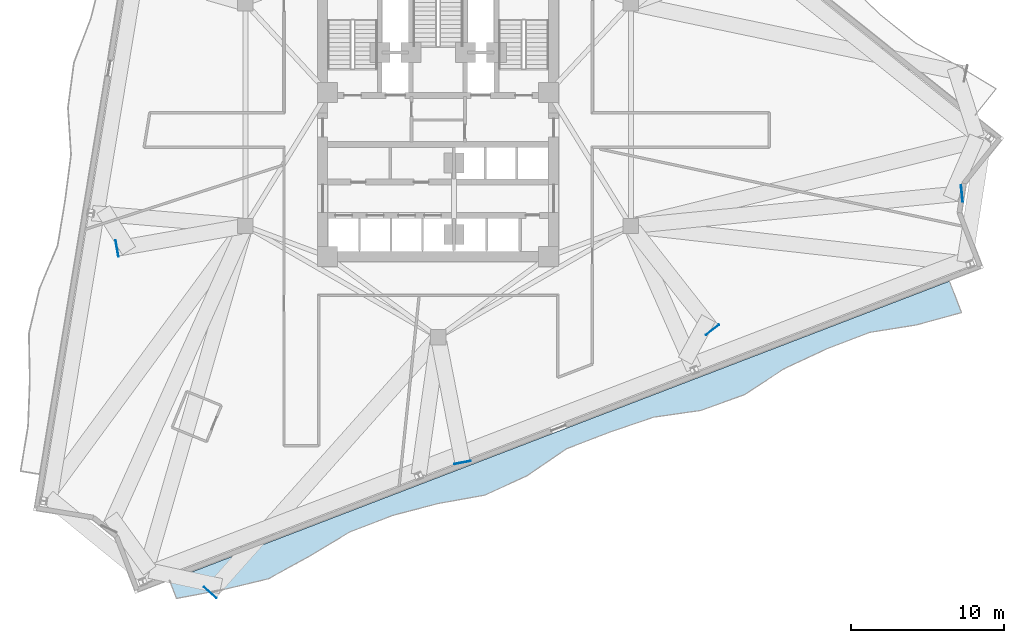
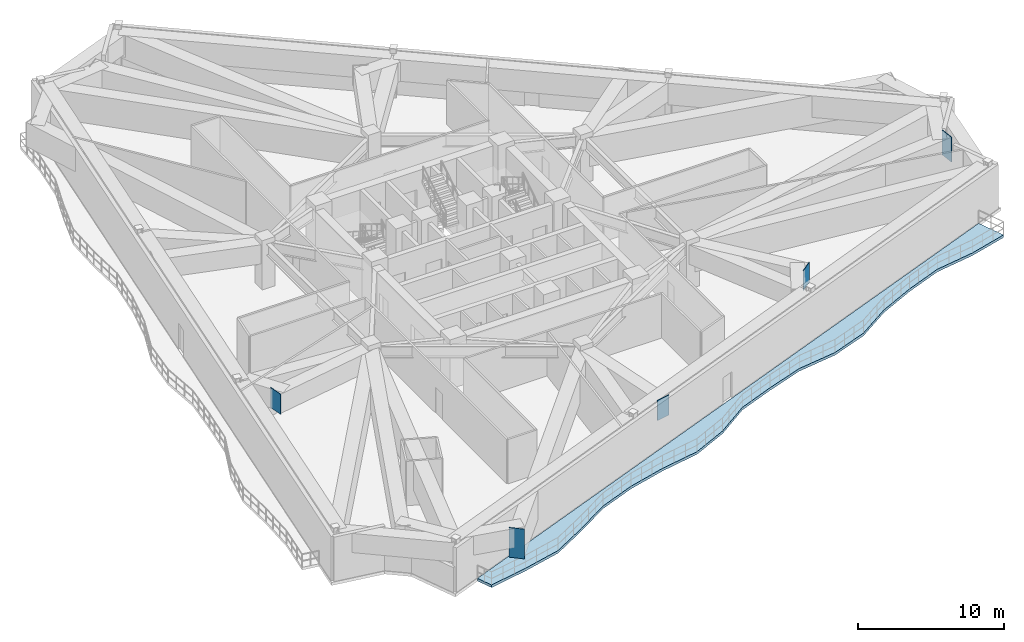
# One storey, part 4 of 14: 5 plates, 1 slab.
"""IFC4 building model written with IfcOpenShell, lengths in metres."""

from ifc_helpers import new_model, si_unit, direction, frame, origin, origin_2d, place, context, subcontext, project, spatial, polyline, rectangle, outline, extrude, material, layer, layer_set, type_object, element, save


model = new_model("IFC4")

# Units and contexts
model_context = context("Model", 3, precision=1e-05, world=origin(), true_north=direction((0.0, 1.0)))
body_context = subcontext(model_context, "Body", "Model", "MODEL_VIEW")
ifc_project = project(units=[si_unit("LENGTHUNIT", "METRE"), si_unit("AREAUNIT", "SQUARE_METRE"), si_unit("VOLUMEUNIT", "CUBIC_METRE"), si_unit("PLANEANGLEUNIT", "RADIAN"), si_unit("MASSUNIT", "GRAM", prefix="KILO")], contexts=[model_context])

# Site, building, storey
site_placement = place(None, origin())
site = spatial("IfcSite", under=ifc_project, at=site_placement, CompositionType="ELEMENT")
building_placement = place(site_placement, origin())
building = spatial("IfcBuilding", under=site, at=building_placement, Name="Apsidion Concourse Tower", CompositionType="ELEMENT")
storey_placement = place(building_placement, frame((0.0, 0.0, 156.800048828125)))
storey = spatial("IfcBuildingStorey", under=building, at=storey_placement, Name="L36", CompositionType="ELEMENT", Elevation=156.800048828125)

# Plates
ifc_material_1 = material(Name="Structural steel ASTM A572 Grade 50", Category="steel")
ifc_layer_1 = layer(ifc_material_1, 0.034912109375)
ifc_layer_set_1 = layer_set([ifc_layer_1], Name="Structural steel ASTM A572 Grade 50")
plate_type = type_object("IfcPlateType", Name="PL-ENDCAP-35", PredefinedType="USERDEFINED", material=ifc_layer_set_1)
plate_1_placement = place(storey_placement, frame((-20.92431640625, -8.72509765625, 2.06005859375), z_axis=(0.0, 0.0, 1.0), x_axis=(-0.984807753012, -0.173648177667, 0.0)))
element("IfcPlate", 1, at=plate_1_placement, inside=storey, type_object=plate_type, Name="L36 Radial Transfer Girder End-Cap Plate NTRCAP-03", ObjectType="FLANGE_PLATE", PredefinedType="USERDEFINED", context=body_context, shape_type="SweptSolid", body=[
    extrude(rectangle(XDim=0.044921875, YDim=1.080078125, at=origin_2d()), origin(), (0.0, 0.0, 1.0), 1.679931640625),
])
plate_2_placement = place(storey_placement, frame((-14.844482421875, -31.1474609375, 1.260009765625), z_axis=(0.0, 0.0, 1.0), x_axis=(-0.665490940013, -0.746405927603, 0.0)))
element("IfcPlate", 2, at=plate_2_placement, inside=storey, type_object=plate_type, Name="L36 Radial Transfer Girder End-Cap Plate NTRCAP-05", ObjectType="FLANGE_PLATE", PredefinedType="USERDEFINED", context=body_context, shape_type="SweptSolid", body=[
    extrude(rectangle(XDim=0.044921875, YDim=1.080078125, at=origin_2d()), origin(), (0.0, 0.0, 1.0), 2.47998046875),
])
for number, where, z_axis, x_axis, name in (
    (3, (1.590087890625, -22.6630859375, 2.06005859375), (0.0, 0.0, 1.0), (0.191151636272, -0.981560518741, 0.0), "L36 Radial Transfer Girder End-Cap Plate NTRCAP-06"),
    (4, (17.8662109375, -14.020751953125, 2.06005859375), (0.0, 0.0, 1.0), (0.616898519672, -0.787042703051, 0.0), "L36 Radial Transfer Girder End-Cap Plate NTRCAP-07"),
):
    element("IfcPlate", number, at=place(storey_placement, frame(where, z_axis=z_axis, x_axis=x_axis)), inside=storey, type_object=plate_type, Name=name, ObjectType="FLANGE_PLATE", PredefinedType="USERDEFINED", context=body_context, shape_type="SweptSolid", body=[
        extrude(rectangle(XDim=0.044921875, YDim=1.080078125, at=origin_2d()), origin(), (0.0, 0.0, 1.0), 1.679931640625),
    ])
plate_3_placement = place(storey_placement, frame((34.125, -5.124267578125, 1.659912109375), z_axis=(0.0, 0.0, 1.0), x_axis=(0.995176169274, 0.098103986207, 0.0)))
element("IfcPlate", 5, at=plate_3_placement, inside=storey, type_object=plate_type, Name="L36 Radial Transfer Girder End-Cap Plate NTRCAP-08", ObjectType="FLANGE_PLATE", PredefinedType="USERDEFINED", context=body_context, shape_type="SweptSolid", body=[
    extrude(rectangle(XDim=0.044921875, YDim=1.080078125, at=origin_2d()), origin(), (0.0, 0.0, 1.0), 2.080078125),
])

# Slab
ifc_material_2 = material(Name="Concrete C50/60", Category="concrete")
ifc_layer_2 = layer(ifc_material_2, 0.219970703125)
ifc_layer_set_2 = layer_set([ifc_layer_2], Name="Concrete C50/60")
slab_type = type_object("IfcSlabType", Name="SL-BAL-220", PredefinedType="FLOOR", material=ifc_layer_set_2)
slab_placement = place(storey_placement, frame((0.0, 0.0, -0.219970703125)))
element("IfcSlab", 6, at=slab_placement, inside=storey, type_object=slab_type, Name="L36 Face 2 Rippling Balcony Slab", PredefinedType="FLOOR", context=body_context, shape_type="SweptSolid", body=[
    extrude(outline(polyline([(-17.49853515625, -30.353271484375), (-14.67578125, -29.26953125), (-11.852783203125, -28.18603515625), (-9.02978515625, -27.102294921875), (-6.206787109375, -26.018798828125), (-3.3837890625, -24.93505859375), (-0.56103515625, -23.8515625), (2.261962890625, -22.767822265625), (5.0849609375, -21.68408203125), (7.90771484375, -20.6005859375), (10.730712890625, -19.51708984375), (13.5537109375, -18.433349609375), (16.376708984375, -17.349609375), (19.19970703125, -16.26611328125), (22.0224609375, -15.1826171875), (24.845458984375, -14.098876953125), (27.66845703125, -13.01513671875), (30.491455078125, -11.931640625), (33.314208984375, -10.847900390625), (34.099365234375, -12.893310546875), (31.1689453125, -13.696533203125), (28.116455078125, -14.18212890625), (25.29345703125, -15.265869140625), (22.547607421875, -16.55029296875), (19.9580078125, -18.241455078125), (17.1142578125, -19.271240234375), (14.04248046875, -19.706787109375), (11.1787109375, -20.68408203125), (8.3564453125, -21.769287109375), (5.792236328125, -23.527099609375), (3.0380859375, -24.78955078125), (0.007568359375, -25.33251953125), (-2.935791015625, -26.10205078125), (-5.7587890625, -27.185791015625), (-8.39111328125, -28.765869140625), (-11.064453125, -30.23974609375), (-14.029052734375, -30.9541015625), (-17.050537109375, -31.520263671875), (-17.49853515625, -30.353271484375)])), origin(), (0.0, 0.0, 1.0), 0.219970703125),
])

save(model, "model.ifc")
